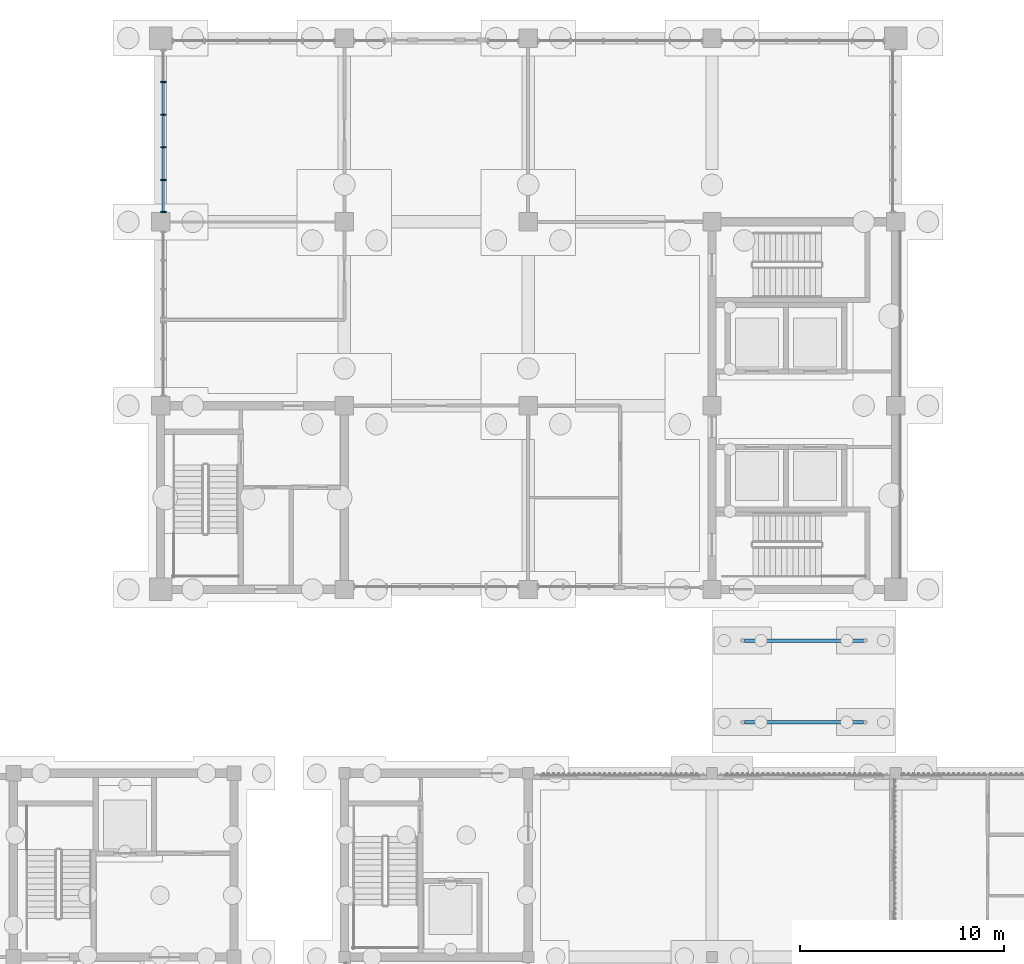
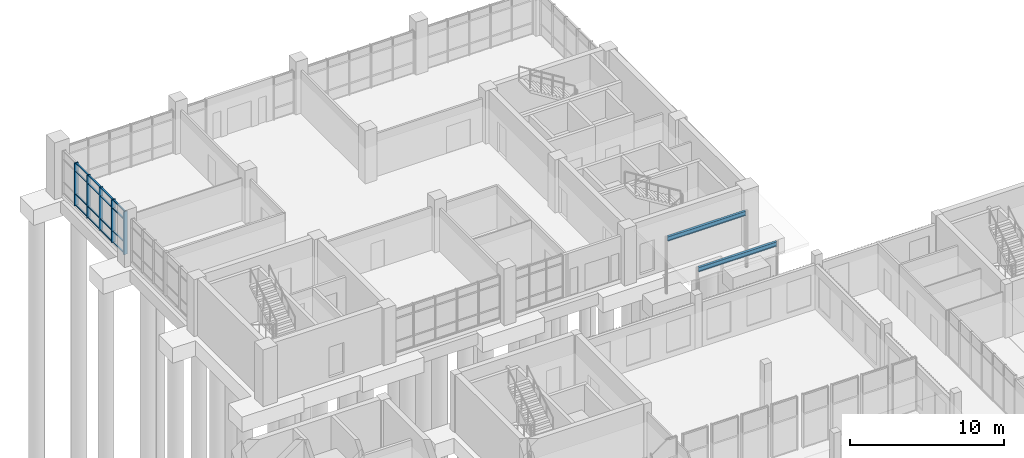
# One storey, part 47 of 106: 21 members, 2 beams, 1 element without a shape of its own.
"""IFC4 building model written with IfcOpenShell, lengths in metres."""

from ifc_helpers import new_model, si_unit, direction, frame, origin, origin_2d, place, context, subcontext, project, spatial, rectangle, i_section, extrude, material, material_profile, profile_set, type_object, element, aggregate, save


model = new_model("IFC4")

# Units and contexts
model_context = context("Model", 3, precision=1e-05, world=origin(), true_north=direction((0.0, 1.0)))
body_context = subcontext(model_context, "Body", "Model", "MODEL_VIEW")
ifc_project = project(units=[si_unit("LENGTHUNIT", "METRE"), si_unit("AREAUNIT", "SQUARE_METRE"), si_unit("VOLUMEUNIT", "CUBIC_METRE"), si_unit("PLANEANGLEUNIT", "RADIAN"), si_unit("MASSUNIT", "GRAM", prefix="KILO")], contexts=[model_context])

# Site, building, storey
site_placement = place(None, origin())
site = spatial("IfcSite", under=ifc_project, at=site_placement, CompositionType="ELEMENT")
building_placement = place(site_placement, origin())
building = spatial("IfcBuilding", under=site, at=building_placement, Name="Merrow Basin Faculty of Sciences", CompositionType="ELEMENT")
storey_placement = place(building_placement, origin())
storey = spatial("IfcBuildingStorey", under=building, at=storey_placement, Name="L00", CompositionType="ELEMENT", Elevation=0.0)

# Curtain wall, members
ifc_material_1 = material(Name="Aluminium alloy 6063", Category="aluminium")
curtain_wall_type = type_object("IfcCurtainWallType", Name="Tower lobby curtain wall 280", PredefinedType="NOTDEFINED", material=ifc_material_1)
curtain_wall_placement = place(storey_placement, origin())
curtain_wall = element("IfcCurtainWall", 1, at=curtain_wall_placement, inside=storey, type_object=curtain_wall_type, Name="W curtain wall L00 3", PredefinedType="NOTDEFINED")
ifc_material_2 = material(Name="Aluminium alloy 6063", Category="aluminium")
ifc_material_profile_1 = material_profile(ifc_material_2, rectangle(XDim=0.280029296875, YDim=0.06005859375, at=origin_2d()))
ifc_profile_set_1 = profile_set([ifc_material_profile_1], Name="Aluminium alloy 6063")
member_type_1 = type_object("IfcMemberType", Name="Aluminium mullion 60x280", PredefinedType="MULLION", material=ifc_profile_set_1)
member_1_placement = place(storey_placement, frame((18.139892578125, 160.47998046875, 0.0), z_axis=(0.0, 0.0, 1.0), x_axis=(-1.0, 0.0, 0.0)))
member_1 = element("IfcMember", 2, at=member_1_placement, type_object=member_type_1, Name="CW10 mullion 1", PredefinedType="MULLION", context=body_context, shape_type="SweptSolid", body=[
    extrude(rectangle(XDim=0.280029296875, YDim=0.06005859375, at=origin_2d()), origin(), (0.0, 0.0, 1.0), 3.39990234375),
])
member_2_placement = place(storey_placement, frame((18.139892578125, 162.050048828125, 0.0), z_axis=(0.0, 0.0, 1.0), x_axis=(-1.0, 0.0, 0.0)))
member_2 = element("IfcMember", 3, at=member_2_placement, type_object=member_type_1, Name="CW10 mullion 2", PredefinedType="MULLION", context=body_context, shape_type="SweptSolid", body=[
    extrude(rectangle(XDim=0.280029296875, YDim=0.06005859375, at=origin_2d()), origin(), (0.0, 0.0, 1.0), 3.39990234375),
])
member_3_placement = place(storey_placement, frame((18.139892578125, 163.64990234375, 0.0), z_axis=(0.0, 0.0, 1.0), x_axis=(-1.0, 0.0, 0.0)))
member_3 = element("IfcMember", 4, at=member_3_placement, type_object=member_type_1, Name="CW10 mullion 3", PredefinedType="MULLION", context=body_context, shape_type="SweptSolid", body=[
    extrude(rectangle(XDim=0.280029296875, YDim=0.06005859375, at=origin_2d()), origin(), (0.0, 0.0, 1.0), 3.39990234375),
])
member_4_placement = place(storey_placement, frame((18.139892578125, 165.25, 0.0), z_axis=(0.0, 0.0, 1.0), x_axis=(-1.0, 0.0, 0.0)))
member_4 = element("IfcMember", 5, at=member_4_placement, type_object=member_type_1, Name="CW10 mullion 4", PredefinedType="MULLION", context=body_context, shape_type="SweptSolid", body=[
    extrude(rectangle(XDim=0.280029296875, YDim=0.06005859375, at=origin_2d()), origin(), (0.0, 0.0, 1.0), 3.39990234375),
])
member_5_placement = place(storey_placement, frame((18.139892578125, 166.85009765625, 0.0), z_axis=(0.0, 0.0, 1.0), x_axis=(-1.0, 0.0, 0.0)))
member_5 = element("IfcMember", 6, at=member_5_placement, type_object=member_type_1, Name="CW10 mullion 5", PredefinedType="MULLION", context=body_context, shape_type="SweptSolid", body=[
    extrude(rectangle(XDim=0.280029296875, YDim=0.06005859375, at=origin_2d()), origin(), (0.0, 0.0, 1.0), 3.39990234375),
])
ifc_material_3 = material(Name="Aluminium alloy 6063", Category="aluminium")
ifc_material_profile_2 = material_profile(ifc_material_3, rectangle(XDim=0.1201171875, YDim=0.06005859375, at=origin_2d()))
ifc_profile_set_2 = profile_set([ifc_material_profile_2], Name="Aluminium alloy 6063")
member_type_2 = type_object("IfcMemberType", Name="Aluminium transom 60x120", PredefinedType="USERDEFINED", material=ifc_profile_set_2)
member_6_placement = place(storey_placement, frame((18.139892578125, 160.510009765625, 0.030029296875), z_axis=(0.0, 1.0, 0.0), x_axis=(-1.0, 0.0, 0.0)))
member_6 = element("IfcMember", 7, at=member_6_placement, type_object=member_type_2, Name="CW10 transom 1.1", ObjectType="TRANSOM", PredefinedType="USERDEFINED", context=body_context, shape_type="SweptSolid", body=[
    extrude(rectangle(XDim=0.1201171875, YDim=0.06005859375, at=origin_2d()), origin(), (0.0, 0.0, 1.0), 1.510009765625),
])
member_7_placement = place(storey_placement, frame((18.139892578125, 160.510009765625, 0.89990234375), z_axis=(0.0, 1.0, 0.0), x_axis=(-1.0, 0.0, 0.0)))
member_7 = element("IfcMember", 8, at=member_7_placement, type_object=member_type_2, Name="CW10 transom 1.2", ObjectType="TRANSOM", PredefinedType="USERDEFINED", context=body_context, shape_type="SweptSolid", body=[
    extrude(rectangle(XDim=0.1201171875, YDim=0.06005859375, at=origin_2d()), origin(), (0.0, 0.0, 1.0), 1.510009765625),
])
member_8_placement = place(storey_placement, frame((18.139892578125, 160.510009765625, 2.699951171875), z_axis=(0.0, 1.0, 0.0), x_axis=(-1.0, 0.0, 0.0)))
member_8 = element("IfcMember", 9, at=member_8_placement, type_object=member_type_2, Name="CW10 transom 1.3", ObjectType="TRANSOM", PredefinedType="USERDEFINED", context=body_context, shape_type="SweptSolid", body=[
    extrude(rectangle(XDim=0.1201171875, YDim=0.06005859375, at=origin_2d()), origin(), (0.0, 0.0, 1.0), 1.510009765625),
])
member_9_placement = place(storey_placement, frame((18.139892578125, 160.510009765625, 3.3701171875), z_axis=(0.0, 1.0, 0.0), x_axis=(-1.0, 0.0, 0.0)))
member_9 = element("IfcMember", 10, at=member_9_placement, type_object=member_type_2, Name="CW10 transom 1.4", ObjectType="TRANSOM", PredefinedType="USERDEFINED", context=body_context, shape_type="SweptSolid", body=[
    extrude(rectangle(XDim=0.1201171875, YDim=0.06005859375, at=origin_2d()), origin(), (0.0, 0.0, 1.0), 1.510009765625),
])
member_10_placement = place(storey_placement, frame((18.139892578125, 162.080078125, 0.030029296875), z_axis=(0.0, 1.0, 0.0), x_axis=(-1.0, 0.0, 0.0)))
member_10 = element("IfcMember", 11, at=member_10_placement, type_object=member_type_2, Name="CW10 transom 2.1", ObjectType="TRANSOM", PredefinedType="USERDEFINED", context=body_context, shape_type="SweptSolid", body=[
    extrude(rectangle(XDim=0.1201171875, YDim=0.06005859375, at=origin_2d()), origin(), (0.0, 0.0, 1.0), 1.5400390625),
])
member_11_placement = place(storey_placement, frame((18.139892578125, 162.080078125, 0.89990234375), z_axis=(0.0, 1.0, 0.0), x_axis=(-1.0, 0.0, 0.0)))
member_11 = element("IfcMember", 12, at=member_11_placement, type_object=member_type_2, Name="CW10 transom 2.2", ObjectType="TRANSOM", PredefinedType="USERDEFINED", context=body_context, shape_type="SweptSolid", body=[
    extrude(rectangle(XDim=0.1201171875, YDim=0.06005859375, at=origin_2d()), origin(), (0.0, 0.0, 1.0), 1.5400390625),
])
member_12_placement = place(storey_placement, frame((18.139892578125, 162.080078125, 2.699951171875), z_axis=(0.0, 1.0, 0.0), x_axis=(-1.0, 0.0, 0.0)))
member_12 = element("IfcMember", 13, at=member_12_placement, type_object=member_type_2, Name="CW10 transom 2.3", ObjectType="TRANSOM", PredefinedType="USERDEFINED", context=body_context, shape_type="SweptSolid", body=[
    extrude(rectangle(XDim=0.1201171875, YDim=0.06005859375, at=origin_2d()), origin(), (0.0, 0.0, 1.0), 1.5400390625),
])
member_13_placement = place(storey_placement, frame((18.139892578125, 162.080078125, 3.3701171875), z_axis=(0.0, 1.0, 0.0), x_axis=(-1.0, 0.0, 0.0)))
member_13 = element("IfcMember", 14, at=member_13_placement, type_object=member_type_2, Name="CW10 transom 2.4", ObjectType="TRANSOM", PredefinedType="USERDEFINED", context=body_context, shape_type="SweptSolid", body=[
    extrude(rectangle(XDim=0.1201171875, YDim=0.06005859375, at=origin_2d()), origin(), (0.0, 0.0, 1.0), 1.5400390625),
])
member_14_placement = place(storey_placement, frame((18.139892578125, 163.679931640625, 0.030029296875), z_axis=(0.0, 1.0, 0.0), x_axis=(-1.0, 0.0, 0.0)))
member_14 = element("IfcMember", 15, at=member_14_placement, type_object=member_type_2, Name="CW10 transom 3.1", ObjectType="TRANSOM", PredefinedType="USERDEFINED", context=body_context, shape_type="SweptSolid", body=[
    extrude(rectangle(XDim=0.1201171875, YDim=0.06005859375, at=origin_2d()), origin(), (0.0, 0.0, 1.0), 1.5400390625),
])
member_15_placement = place(storey_placement, frame((18.139892578125, 163.679931640625, 0.89990234375), z_axis=(0.0, 1.0, 0.0), x_axis=(-1.0, 0.0, 0.0)))
member_15 = element("IfcMember", 16, at=member_15_placement, type_object=member_type_2, Name="CW10 transom 3.2", ObjectType="TRANSOM", PredefinedType="USERDEFINED", context=body_context, shape_type="SweptSolid", body=[
    extrude(rectangle(XDim=0.1201171875, YDim=0.06005859375, at=origin_2d()), origin(), (0.0, 0.0, 1.0), 1.5400390625),
])
member_16_placement = place(storey_placement, frame((18.139892578125, 163.679931640625, 2.699951171875), z_axis=(0.0, 1.0, 0.0), x_axis=(-1.0, 0.0, 0.0)))
member_16 = element("IfcMember", 17, at=member_16_placement, type_object=member_type_2, Name="CW10 transom 3.3", ObjectType="TRANSOM", PredefinedType="USERDEFINED", context=body_context, shape_type="SweptSolid", body=[
    extrude(rectangle(XDim=0.1201171875, YDim=0.06005859375, at=origin_2d()), origin(), (0.0, 0.0, 1.0), 1.5400390625),
])
member_17_placement = place(storey_placement, frame((18.139892578125, 163.679931640625, 3.3701171875), z_axis=(0.0, 1.0, 0.0), x_axis=(-1.0, 0.0, 0.0)))
member_17 = element("IfcMember", 18, at=member_17_placement, type_object=member_type_2, Name="CW10 transom 3.4", ObjectType="TRANSOM", PredefinedType="USERDEFINED", context=body_context, shape_type="SweptSolid", body=[
    extrude(rectangle(XDim=0.1201171875, YDim=0.06005859375, at=origin_2d()), origin(), (0.0, 0.0, 1.0), 1.5400390625),
])
member_18_placement = place(storey_placement, frame((18.139892578125, 165.280029296875, 0.030029296875), z_axis=(0.0, 1.0, 0.0), x_axis=(-1.0, 0.0, 0.0)))
member_18 = element("IfcMember", 19, at=member_18_placement, type_object=member_type_2, Name="CW10 transom 4.1", ObjectType="TRANSOM", PredefinedType="USERDEFINED", context=body_context, shape_type="SweptSolid", body=[
    extrude(rectangle(XDim=0.1201171875, YDim=0.06005859375, at=origin_2d()), origin(), (0.0, 0.0, 1.0), 1.5400390625),
])
member_19_placement = place(storey_placement, frame((18.139892578125, 165.280029296875, 0.89990234375), z_axis=(0.0, 1.0, 0.0), x_axis=(-1.0, 0.0, 0.0)))
member_19 = element("IfcMember", 20, at=member_19_placement, type_object=member_type_2, Name="CW10 transom 4.2", ObjectType="TRANSOM", PredefinedType="USERDEFINED", context=body_context, shape_type="SweptSolid", body=[
    extrude(rectangle(XDim=0.1201171875, YDim=0.06005859375, at=origin_2d()), origin(), (0.0, 0.0, 1.0), 1.5400390625),
])
member_20_placement = place(storey_placement, frame((18.139892578125, 165.280029296875, 2.699951171875), z_axis=(0.0, 1.0, 0.0), x_axis=(-1.0, 0.0, 0.0)))
member_20 = element("IfcMember", 21, at=member_20_placement, type_object=member_type_2, Name="CW10 transom 4.3", ObjectType="TRANSOM", PredefinedType="USERDEFINED", context=body_context, shape_type="SweptSolid", body=[
    extrude(rectangle(XDim=0.1201171875, YDim=0.06005859375, at=origin_2d()), origin(), (0.0, 0.0, 1.0), 1.5400390625),
])
member_21_placement = place(storey_placement, frame((18.139892578125, 165.280029296875, 3.3701171875), z_axis=(0.0, 1.0, 0.0), x_axis=(-1.0, 0.0, 0.0)))
member_21 = element("IfcMember", 22, at=member_21_placement, type_object=member_type_2, Name="CW10 transom 4.4", ObjectType="TRANSOM", PredefinedType="USERDEFINED", context=body_context, shape_type="SweptSolid", body=[
    extrude(rectangle(XDim=0.1201171875, YDim=0.06005859375, at=origin_2d()), origin(), (0.0, 0.0, 1.0), 1.5400390625),
])
aggregate(curtain_wall, [member_1, member_2, member_3, member_4, member_5, member_6, member_7, member_8, member_9, member_10, member_11, member_12, member_13, member_14, member_15, member_16, member_17, member_18, member_19, member_20, member_21])

# Beams
ifc_material_4 = material(Name="Steel ASTM A992", Category="steel")
ifc_material_profile_3 = material_profile(ifc_material_4, i_section(OverallWidth=0.1708984375, OverallDepth=0.35498046875, WebThickness=0.007080078125, FlangeThickness=0.01171875, at=origin_2d()))
ifc_profile_set_3 = profile_set([ifc_material_profile_3], Name="Steel ASTM A992")
beam_type = type_object("IfcBeamType", Name="Canopy beam W360x51", PredefinedType="BEAM", material=ifc_profile_set_3)
for number, where, z_axis, x_axis, name in (
    (23, (46.583984375, 135.5, 4.001953125), (1.0, 0.0, 0.0), (0.0, 1.0, 0.0), "CB1 L00 037"),
    (24, (46.583984375, 139.5, 4.001953125), (1.0, 0.0, 0.0), (0.0, 1.0, 0.0), "CB1 L00 038"),
):
    element("IfcBeam", number, at=place(storey_placement, frame(where, z_axis=z_axis, x_axis=x_axis)), inside=storey, type_object=beam_type, Name=name, PredefinedType="BEAM", context=body_context, shape_type="SweptSolid", body=[
        extrude(i_section(OverallWidth=0.1708984375, OverallDepth=0.35498046875, WebThickness=0.007080078125, FlangeThickness=0.01171875, at=origin_2d()), origin(), (0.0, 0.0, 1.0), 5.83203125),
    ])

save(model, "model.ifc")
